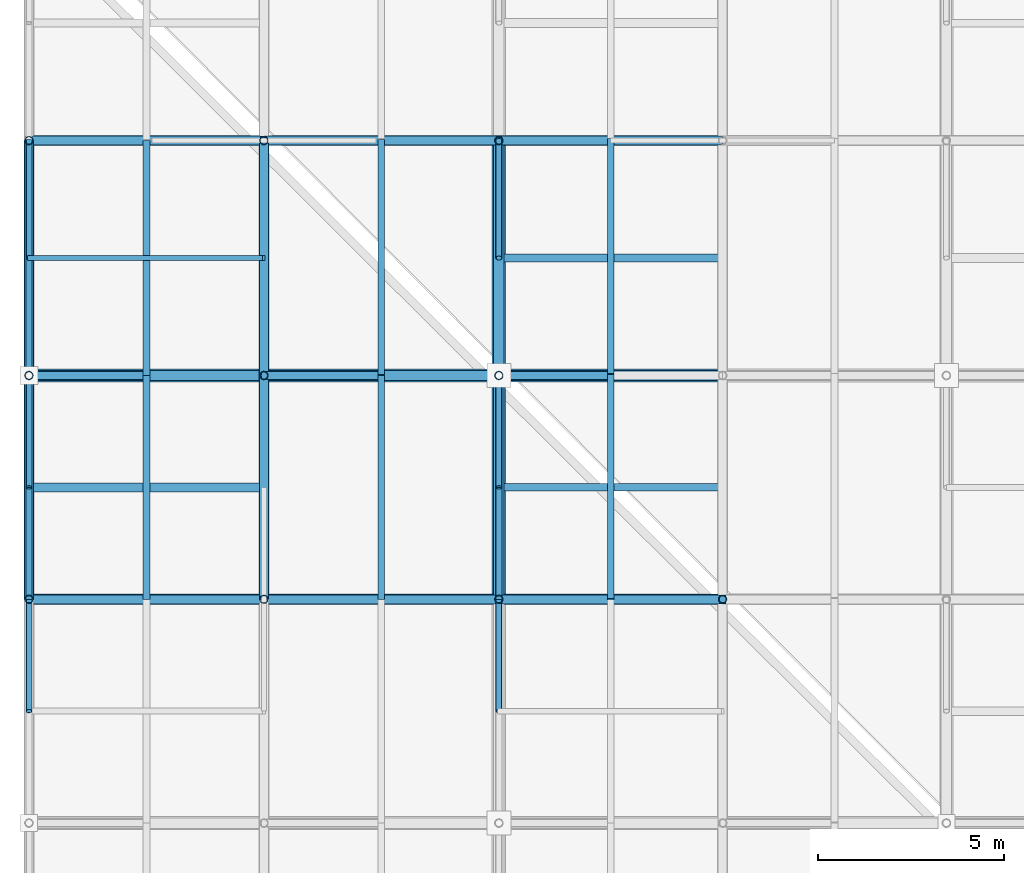
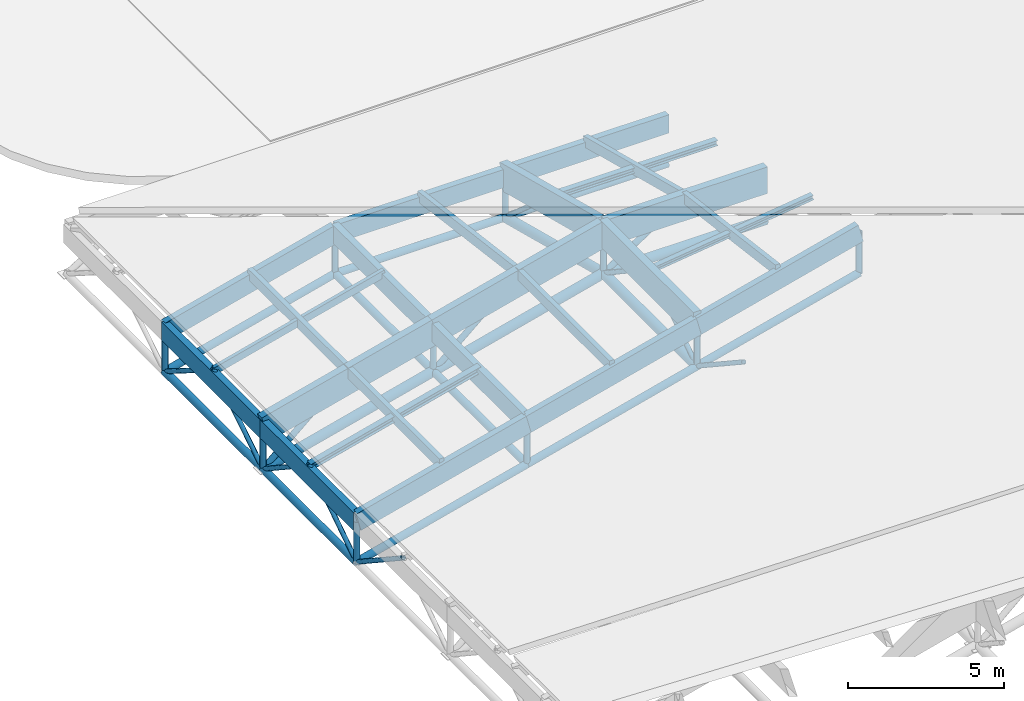
# One storey, part 48 of 80: 62 members.
"""IFC4 building model written with IfcOpenShell, lengths in metres."""

from ifc_helpers import new_model, si_unit, direction, frame, origin, origin_2d, place, context, subcontext, project, spatial, rectangle, hollow_circle, i_section, extrude, material, material_profile, profile_set, type_object, element, save


model = new_model("IFC4")

# Units and contexts
model_context = context("Model", 3, precision=1e-05, world=origin(), true_north=direction((0.0, 1.0)))
body_context = subcontext(model_context, "Body", "Model", "MODEL_VIEW")
ifc_project = project(units=[si_unit("LENGTHUNIT", "METRE"), si_unit("AREAUNIT", "SQUARE_METRE"), si_unit("VOLUMEUNIT", "CUBIC_METRE"), si_unit("PLANEANGLEUNIT", "RADIAN"), si_unit("MASSUNIT", "GRAM", prefix="KILO"), si_unit("THERMODYNAMICTEMPERATUREUNIT", "KELVIN"), si_unit("POWERUNIT", "WATT")], contexts=[model_context])

# Site, building, storey
site_placement = place(None, origin())
site = spatial("IfcSite", under=ifc_project, at=site_placement, CompositionType="ELEMENT")
building_placement = place(site_placement, origin())
building = spatial("IfcBuilding", under=site, at=building_placement, Name="Solmara Park Aquatics Centre", CompositionType="ELEMENT")
storey_placement = place(building_placement, frame((0.0, 0.0, 22.800048828125)))
storey = spatial("IfcBuildingStorey", under=building, at=storey_placement, Name="RF", CompositionType="ELEMENT", Elevation=22.800048828125)

# Members
ifc_material_1 = material(Name="Structural Steel S355", Category="steel")
ifc_material_profile_1 = material_profile(ifc_material_1, hollow_circle(Radius=0.084228515625, WallThickness=0.008056640625, at=origin_2d()), Name="CHS 168.3x8")
ifc_profile_set_1 = profile_set([ifc_material_profile_1], Name="Structural Steel S355")
member_type_1 = type_object("IfcMemberType", Name="STR-BRC-CHS168", PredefinedType="BRACE", material=ifc_profile_set_1)
for number, where, z_axis, x_axis, name in (
    (1, (0.0, 66.60009765625, -14.400146484375), (0.0, -0.834611904619, 0.550838423377), (1.0, 0.0, 0.0), "Roof Truss Web Diagonal Y 2095"),
    (2, (12.60009765625, 66.60009765625, -11.141357421875), (0.0, -0.834611904619, 0.550838423377), (1.0, 0.0, 0.0), "Roof Truss Web Diagonal Y 2097"),
    (3, (0.0, 66.60009765625, -14.400146484375), (0.0, 0.834611904619, 0.550838423377), (-1.0, 0.0, 0.0), "Roof Truss Web Diagonal Y 2117"),
    (4, (0.0, 72.60009765625, -14.400146484375), (0.0, -0.834611904619, 0.550838423377), (1.0, 0.0, 0.0), "Roof Truss Web Diagonal Y 2118"),
    (5, (12.60009765625, 66.60009765625, -11.141357421875), (0.0, 0.834611904619, 0.550838423377), (-1.0, 0.0, 0.0), "Roof Truss Web Diagonal Y 2119"),
    (6, (12.60009765625, 72.60009765625, -11.141357421875), (0.0, -0.834611904619, 0.550838423377), (1.0, 0.0, 0.0), "Roof Truss Web Diagonal Y 2120"),
):
    element("IfcMember", number, at=place(storey_placement, frame(where, z_axis=z_axis, x_axis=x_axis)), inside=storey, type_object=member_type_1, Name=name, PredefinedType="BRACE", context=body_context, shape_type="SweptSolid", body=[
        extrude(hollow_circle(Radius=0.084228515625, WallThickness=0.008056640625, at=origin_2d()), origin(), (0.0, 0.0, 1.0), 3.594482421875),
    ])
for number, where, z_axis, x_axis, name in (
    (7, (0.0, 72.60009765625, -14.400146484375), (0.0, 0.846631480792, 0.532179608527), (-1.0, 0.0, 0.0), "Roof Truss Web Diagonal Y 2140"),
    (8, (0.0, 78.89990234375, -14.400146484375), (0.0, -0.846631480792, 0.532179608527), (1.0, 0.0, 0.0), "Roof Truss Web Diagonal Y 2141"),
):
    element("IfcMember", number, at=place(storey_placement, frame(where, z_axis=z_axis, x_axis=x_axis)), inside=storey, type_object=member_type_1, Name=name, PredefinedType="BRACE", context=body_context, shape_type="SweptSolid", body=[
        extrude(hollow_circle(Radius=0.084228515625, WallThickness=0.008056640625, at=origin_2d()), origin(), (0.0, 0.0, 1.0), 3.720458984375),
    ])
member_1_placement = place(storey_placement, frame((12.60009765625, 78.89990234375, -12.770751953125), z_axis=(0.0, -0.748026356938, 0.663669020917), x_axis=(1.0, 0.0, 0.0)))
element("IfcMember", 9, at=member_1_placement, inside=storey, type_object=member_type_1, Name="Roof Truss Web Diagonal Y 2142", PredefinedType="BRACE", context=body_context, shape_type="SweptSolid", body=[
    extrude(hollow_circle(Radius=0.084228515625, WallThickness=0.008056640625, at=origin_2d()), origin(), (0.0, 0.0, 1.0), 4.2109375),
])
ifc_material_profile_2 = material_profile(ifc_material_1, hollow_circle(Radius=0.109619140625, WallThickness=0.010009765625, at=origin_2d()), Name="CHS 219.1x10")
ifc_profile_set_2 = profile_set([ifc_material_profile_2], Name="Structural Steel S355")
member_type_2 = type_object("IfcMemberType", Name="STR-BRC-CHS219", PredefinedType="BRACE", material=ifc_profile_set_2)
for number, where, z_axis, x_axis, name in (
    (10, (0.0, 72.60009765625, -14.400146484375), (0.752757378615, 0.0, 0.658298054791), (0.0, 1.0, 0.0), "Roof Truss Web Diagonal X 1368"),
    (11, (6.300048828125, 72.60009765625, -12.770751953125), (0.752757378615, 0.0, 0.658298054791), (0.0, 1.0, 0.0), "Roof Truss Web Diagonal X 1392"),
):
    element("IfcMember", number, at=place(storey_placement, frame(where, z_axis=z_axis, x_axis=x_axis)), inside=storey, type_object=member_type_2, Name=name, PredefinedType="BRACE", context=body_context, shape_type="SweptSolid", body=[
        extrude(hollow_circle(Radius=0.109619140625, WallThickness=0.010009765625, at=origin_2d()), origin(), (0.0, 0.0, 1.0), 4.1845703125),
    ])
member_2_placement = place(storey_placement, frame((12.60009765625, 72.60009765625, -11.141357421875), z_axis=(0.83972779743, 0.0, 0.543007574738), x_axis=(0.0, 1.0, 0.0)))
element("IfcMember", 12, at=member_2_placement, inside=storey, type_object=member_type_2, Name="Roof Truss Web Diagonal X 1417", PredefinedType="BRACE", context=body_context, shape_type="SweptSolid", body=[
    extrude(hollow_circle(Radius=0.109619140625, WallThickness=0.010009765625, at=origin_2d()), origin(), (0.0, 0.0, 1.0), 3.572509765625),
])
ifc_material_profile_3 = material_profile(ifc_material_1, hollow_circle(Radius=0.136474609375, WallThickness=0.012451171875, at=origin_2d()), Name="CHS 273x12.5")
ifc_profile_set_3 = profile_set([ifc_material_profile_3], Name="Structural Steel S355")
member_type_3 = type_object("IfcMemberType", Name="STR-CHD-CHS273", PredefinedType="CHORD", material=ifc_profile_set_3)
for number, where, z_axis, x_axis, name in (
    (13, (0.0, 66.60009765625, -14.400146484375), (0.968144245908, 0.0, 0.25039312913), (0.0, 1.0, 0.0), "Steel Roof Truss Bottom Chord X 0398"),
    (14, (6.300048828125, 66.60009765625, -12.770751953125), (0.968144245908, 0.0, 0.25039312913), (0.0, 1.0, 0.0), "Steel Roof Truss Bottom Chord X 0400"),
):
    element("IfcMember", number, at=place(storey_placement, frame(where, z_axis=z_axis, x_axis=x_axis)), inside=storey, type_object=member_type_3, Name=name, PredefinedType="CHORD", context=body_context, shape_type="SweptSolid", body=[
        extrude(hollow_circle(Radius=0.136474609375, WallThickness=0.012451171875, at=origin_2d()), origin(), (0.0, 0.0, 1.0), 6.50732421875),
    ])
member_3_placement = place(storey_placement, frame((12.60009765625, 66.60009765625, -11.141357421875), z_axis=(0.968155143395, 0.0, 0.250350990246), x_axis=(0.0, 1.0, 0.0)))
element("IfcMember", 15, at=member_3_placement, inside=storey, type_object=member_type_3, Name="Steel Roof Truss Bottom Chord X 0402", PredefinedType="CHORD", context=body_context, shape_type="SweptSolid", body=[
    extrude(hollow_circle(Radius=0.136474609375, WallThickness=0.012451171875, at=origin_2d()), origin(), (0.0, 0.0, 1.0), 6.197265625),
])
member_4_placement = place(storey_placement, frame((0.0, 78.89990234375, -14.400146484375), z_axis=(0.968144245908, 0.0, 0.25039312913), x_axis=(0.0, 1.0, 0.0)))
element("IfcMember", 16, at=member_4_placement, inside=storey, type_object=member_type_3, Name="Steel Roof Truss Bottom Chord X 0470", PredefinedType="CHORD", context=body_context, shape_type="SweptSolid", body=[
    extrude(hollow_circle(Radius=0.136474609375, WallThickness=0.012451171875, at=origin_2d()), origin(), (0.0, 0.0, 1.0), 6.50732421875),
])
member_5_placement = place(storey_placement, frame((6.300048828125, 78.89990234375, -12.770751953125), z_axis=(1.0, 0.0, 0.0), x_axis=(0.0, 1.0, 0.0)))
element("IfcMember", 17, at=member_5_placement, inside=storey, type_object=member_type_3, Name="Steel Roof Truss Bottom Chord X 0472", PredefinedType="CHORD", context=body_context, shape_type="SweptSolid", body=[
    extrude(hollow_circle(Radius=0.136474609375, WallThickness=0.012451171875, at=origin_2d()), origin(), (0.0, 0.0, 1.0), 6.300048828125),
])
for number, where, z_axis, x_axis, name in (
    (18, (12.60009765625, 78.89990234375, -12.770751953125), (1.0, 0.0, 0.0), (0.0, 1.0, 0.0), "Steel Roof Truss Bottom Chord X 0474"),
    (19, (0.0, 66.60009765625, -14.400146484375), (0.0, 1.0, 0.0), (-1.0, 0.0, 0.0), "Steel Roof Truss Bottom Chord Y 0564"),
):
    element("IfcMember", number, at=place(storey_placement, frame(where, z_axis=z_axis, x_axis=x_axis)), inside=storey, type_object=member_type_3, Name=name, PredefinedType="CHORD", context=body_context, shape_type="SweptSolid", body=[
        extrude(hollow_circle(Radius=0.136474609375, WallThickness=0.012451171875, at=origin_2d()), origin(), (0.0, 0.0, 1.0), 6.0),
    ])
member_6_placement = place(storey_placement, frame((0.0, 72.60009765625, -14.400146484375), z_axis=(0.0, 1.0, 0.0), x_axis=(-1.0, 0.0, 0.0)))
element("IfcMember", 20, at=member_6_placement, inside=storey, type_object=member_type_3, Name="Steel Roof Truss Bottom Chord Y 0566", PredefinedType="CHORD", context=body_context, shape_type="SweptSolid", body=[
    extrude(hollow_circle(Radius=0.136474609375, WallThickness=0.012451171875, at=origin_2d()), origin(), (0.0, 0.0, 1.0), 6.2998046875),
])
member_7_placement = place(storey_placement, frame((6.300048828125, 66.60009765625, -12.770751953125), z_axis=(0.0, 1.0, 0.0), x_axis=(-1.0, 0.0, 0.0)))
element("IfcMember", 21, at=member_7_placement, inside=storey, type_object=member_type_3, Name="Steel Roof Truss Bottom Chord Y 0592", PredefinedType="CHORD", context=body_context, shape_type="SweptSolid", body=[
    extrude(hollow_circle(Radius=0.136474609375, WallThickness=0.012451171875, at=origin_2d()), origin(), (0.0, 0.0, 1.0), 6.0),
])
member_8_placement = place(storey_placement, frame((6.300048828125, 72.60009765625, -12.770751953125), z_axis=(0.0, 1.0, 0.0), x_axis=(-1.0, 0.0, 0.0)))
element("IfcMember", 22, at=member_8_placement, inside=storey, type_object=member_type_3, Name="Steel Roof Truss Bottom Chord Y 0594", PredefinedType="CHORD", context=body_context, shape_type="SweptSolid", body=[
    extrude(hollow_circle(Radius=0.136474609375, WallThickness=0.012451171875, at=origin_2d()), origin(), (0.0, 0.0, 1.0), 6.2998046875),
])
ifc_material_profile_4 = material_profile(ifc_material_1, hollow_circle(Radius=0.177734375, WallThickness=0.01611328125, at=origin_2d()), Name="CHS 355.6x16")
ifc_profile_set_4 = profile_set([ifc_material_profile_4], Name="Structural Steel S355")
member_type_4 = type_object("IfcMemberType", Name="STR-CHD-CHS355", PredefinedType="CHORD", material=ifc_profile_set_4)
for number, where, z_axis, x_axis, name in (
    (23, (0.0, 72.60009765625, -14.400146484375), (0.968144245908, 0.0, 0.25039312913), (0.0, 1.0, 0.0), "Steel Roof Truss Bottom Chord X 0434"),
    (24, (6.300048828125, 72.60009765625, -12.770751953125), (0.968144245908, 0.0, 0.25039312913), (0.0, 1.0, 0.0), "Steel Roof Truss Bottom Chord X 0436"),
):
    element("IfcMember", number, at=place(storey_placement, frame(where, z_axis=z_axis, x_axis=x_axis)), inside=storey, type_object=member_type_4, Name=name, PredefinedType="CHORD", context=body_context, shape_type="SweptSolid", body=[
        extrude(hollow_circle(Radius=0.177734375, WallThickness=0.01611328125, at=origin_2d()), origin(), (0.0, 0.0, 1.0), 6.50732421875),
    ])
for number, where, z_axis, x_axis, name in (
    (25, (12.60009765625, 72.60009765625, -11.141357421875), (1.0, 0.0, 0.0), (0.0, 1.0, 0.0), "Steel Roof Truss Bottom Chord X 0438"),
    (26, (12.60009765625, 66.60009765625, -11.141357421875), (0.0, 1.0, 0.0), (-1.0, 0.0, 0.0), "Steel Roof Truss Bottom Chord Y 0620"),
):
    element("IfcMember", number, at=place(storey_placement, frame(where, z_axis=z_axis, x_axis=x_axis)), inside=storey, type_object=member_type_4, Name=name, PredefinedType="CHORD", context=body_context, shape_type="SweptSolid", body=[
        extrude(hollow_circle(Radius=0.177734375, WallThickness=0.01611328125, at=origin_2d()), origin(), (0.0, 0.0, 1.0), 6.0),
    ])
member_9_placement = place(storey_placement, frame((12.60009765625, 72.60009765625, -11.141357421875), z_axis=(0.0, 0.968141893543, -0.250402224365), x_axis=(-1.0, 0.0, 0.0)))
element("IfcMember", 27, at=member_9_placement, inside=storey, type_object=member_type_4, Name="Steel Roof Truss Bottom Chord Y 0622", PredefinedType="CHORD", context=body_context, shape_type="SweptSolid", body=[
    extrude(hollow_circle(Radius=0.177734375, WallThickness=0.01611328125, at=origin_2d()), origin(), (0.0, 0.0, 1.0), 6.507080078125),
])
ifc_material_2 = material(Name="Glulam Timber GL28h", Category="wood")
ifc_material_profile_5 = material_profile(ifc_material_2, rectangle(XDim=0.239990234375, YDim=0.719970703125, at=origin_2d()), Name="GL28h 240x720")
ifc_profile_set_5 = profile_set([ifc_material_profile_5], Name="Glulam Timber GL28h")
member_type_5 = type_object("IfcMemberType", Name="STR-CHD-GL240x720", PredefinedType="CHORD", material=ifc_profile_set_5)
for number, where, z_axis, x_axis, name in (
    (28, (0.0, 66.60009765625, -12.780029296875), (0.968144245908, 0.0, 0.25039312913), (0.0, 1.0, 0.0), "Glulam Roof Truss Top Chord X 0397"),
    (29, (6.300048828125, 66.60009765625, -11.150634765625), (0.96815334027, 0.0, 0.250357963171), (0.0, 1.0, 0.0), "Glulam Roof Truss Top Chord X 0399"),
):
    element("IfcMember", number, at=place(storey_placement, frame(where, z_axis=z_axis, x_axis=x_axis)), inside=storey, type_object=member_type_5, Name=name, PredefinedType="CHORD", context=body_context, shape_type="SweptSolid", body=[
        extrude(rectangle(XDim=0.239990234375, YDim=0.719970703125, at=origin_2d()), origin(), (0.0, 0.0, 1.0), 6.50732421875),
    ])
member_10_placement = place(storey_placement, frame((12.60009765625, 66.60009765625, -9.521484375), z_axis=(0.968145594442, 0.0, 0.250387914969), x_axis=(0.0, 1.0, 0.0)))
element("IfcMember", 30, at=member_10_placement, inside=storey, type_object=member_type_5, Name="Glulam Roof Truss Top Chord X 0401", PredefinedType="CHORD", context=body_context, shape_type="SweptSolid", body=[
    extrude(rectangle(XDim=0.239990234375, YDim=0.719970703125, at=origin_2d()), origin(), (0.0, 0.0, 1.0), 6.197509765625),
])
member_11_placement = place(storey_placement, frame((0.0, 78.89990234375, -12.780029296875), z_axis=(0.968144245908, 0.0, 0.25039312913), x_axis=(0.0, 1.0, 0.0)))
element("IfcMember", 31, at=member_11_placement, inside=storey, type_object=member_type_5, Name="Glulam Roof Truss Top Chord X 0469", PredefinedType="CHORD", context=body_context, shape_type="SweptSolid", body=[
    extrude(rectangle(XDim=0.239990234375, YDim=0.719970703125, at=origin_2d()), origin(), (0.0, 0.0, 1.0), 6.50732421875),
])
member_12_placement = place(storey_placement, frame((6.300048828125, 78.89990234375, -11.150634765625), z_axis=(1.0, 0.0, 0.0), x_axis=(0.0, 1.0, 0.0)))
element("IfcMember", 32, at=member_12_placement, inside=storey, type_object=member_type_5, Name="Glulam Roof Truss Top Chord X 0471", PredefinedType="CHORD", context=body_context, shape_type="SweptSolid", body=[
    extrude(rectangle(XDim=0.239990234375, YDim=0.719970703125, at=origin_2d()), origin(), (0.0, 0.0, 1.0), 6.300048828125),
])
for number, where, z_axis, x_axis, name in (
    (33, (12.60009765625, 78.89990234375, -11.150634765625), (1.0, 0.0, 0.0), (0.0, 1.0, 0.0), "Glulam Roof Truss Top Chord X 0473"),
    (34, (0.0, 66.60009765625, -12.780029296875), (0.0, 1.0, 0.0), (-1.0, 0.0, 0.0), "Glulam Roof Truss Top Chord Y 0563"),
):
    element("IfcMember", number, at=place(storey_placement, frame(where, z_axis=z_axis, x_axis=x_axis)), inside=storey, type_object=member_type_5, Name=name, PredefinedType="CHORD", context=body_context, shape_type="SweptSolid", body=[
        extrude(rectangle(XDim=0.239990234375, YDim=0.719970703125, at=origin_2d()), origin(), (0.0, 0.0, 1.0), 6.0),
    ])
member_13_placement = place(storey_placement, frame((0.0, 72.60009765625, -12.780029296875), z_axis=(0.0, 1.0, 0.0), x_axis=(-1.0, 0.0, 0.0)))
element("IfcMember", 35, at=member_13_placement, inside=storey, type_object=member_type_5, Name="Glulam Roof Truss Top Chord Y 0565", PredefinedType="CHORD", context=body_context, shape_type="SweptSolid", body=[
    extrude(rectangle(XDim=0.239990234375, YDim=0.719970703125, at=origin_2d()), origin(), (0.0, 0.0, 1.0), 6.2998046875),
])
member_14_placement = place(storey_placement, frame((6.300048828125, 66.60009765625, -11.150634765625), z_axis=(0.0, 1.0, 0.0), x_axis=(-1.0, 0.0, 0.0)))
element("IfcMember", 36, at=member_14_placement, inside=storey, type_object=member_type_5, Name="Glulam Roof Truss Top Chord Y 0591", PredefinedType="CHORD", context=body_context, shape_type="SweptSolid", body=[
    extrude(rectangle(XDim=0.239990234375, YDim=0.719970703125, at=origin_2d()), origin(), (0.0, 0.0, 1.0), 6.0),
])
member_15_placement = place(storey_placement, frame((6.300048828125, 72.60009765625, -11.150634765625), z_axis=(0.0, 1.0, 0.0), x_axis=(-1.0, 0.0, 0.0)))
element("IfcMember", 37, at=member_15_placement, inside=storey, type_object=member_type_5, Name="Glulam Roof Truss Top Chord Y 0593", PredefinedType="CHORD", context=body_context, shape_type="SweptSolid", body=[
    extrude(rectangle(XDim=0.239990234375, YDim=0.719970703125, at=origin_2d()), origin(), (0.0, 0.0, 1.0), 6.2998046875),
])
ifc_material_profile_6 = material_profile(ifc_material_2, rectangle(XDim=0.280029296875, YDim=1.0400390625, at=origin_2d()), Name="GL28h 280x1040")
ifc_profile_set_6 = profile_set([ifc_material_profile_6], Name="Glulam Timber GL28h")
member_type_6 = type_object("IfcMemberType", Name="STR-CHD-GL280x1040", PredefinedType="CHORD", material=ifc_profile_set_6)
for number, where, z_axis, x_axis, name in (
    (38, (0.0, 72.60009765625, -12.780029296875), (0.968144245908, 0.0, 0.25039312913), (0.0, 1.0, 0.0), "Glulam Roof Truss Top Chord X 0433"),
    (39, (6.300048828125, 72.60009765625, -11.150634765625), (0.96815334027, 0.0, 0.250357963171), (0.0, 1.0, 0.0), "Glulam Roof Truss Top Chord X 0435"),
):
    element("IfcMember", number, at=place(storey_placement, frame(where, z_axis=z_axis, x_axis=x_axis)), inside=storey, type_object=member_type_6, Name=name, PredefinedType="CHORD", context=body_context, shape_type="SweptSolid", body=[
        extrude(rectangle(XDim=0.280029296875, YDim=1.0400390625, at=origin_2d()), origin(), (0.0, 0.0, 1.0), 6.50732421875),
    ])
for number, where, z_axis, x_axis, name in (
    (40, (12.60009765625, 72.60009765625, -9.521484375), (1.0, 0.0, 0.0), (0.0, 1.0, 0.0), "Glulam Roof Truss Top Chord X 0437"),
    (41, (12.60009765625, 66.60009765625, -9.521484375), (0.0, 1.0, 0.0), (-1.0, 0.0, 0.0), "Glulam Roof Truss Top Chord Y 0619"),
):
    element("IfcMember", number, at=place(storey_placement, frame(where, z_axis=z_axis, x_axis=x_axis)), inside=storey, type_object=member_type_6, Name=name, PredefinedType="CHORD", context=body_context, shape_type="SweptSolid", body=[
        extrude(rectangle(XDim=0.280029296875, YDim=1.0400390625, at=origin_2d()), origin(), (0.0, 0.0, 1.0), 6.0),
    ])
member_16_placement = place(storey_placement, frame((12.60009765625, 72.60009765625, -9.521484375), z_axis=(0.0, 0.968150988544, -0.250367057299), x_axis=(-1.0, 0.0, 0.0)))
element("IfcMember", 42, at=member_16_placement, inside=storey, type_object=member_type_6, Name="Glulam Roof Truss Top Chord Y 0621", PredefinedType="CHORD", context=body_context, shape_type="SweptSolid", body=[
    extrude(rectangle(XDim=0.280029296875, YDim=1.0400390625, at=origin_2d()), origin(), (0.0, 0.0, 1.0), 6.507080078125),
])
ifc_material_profile_7 = material_profile(ifc_material_2, rectangle(XDim=0.139892578125, YDim=0.280029296875, at=origin_2d()), Name="GL28h 140x280")
ifc_profile_set_7 = profile_set([ifc_material_profile_7], Name="Glulam Timber GL28h")
member_type_7 = type_object("IfcMemberType", Name="STR-PRL-GL140x280", PredefinedType="PURLIN", material=ifc_profile_set_7)
member_17_placement = place(storey_placement, frame((0.0, 75.75, -12.43994140625), z_axis=(0.96815334027, 0.0, 0.250357963171), x_axis=(0.0, 1.0, 0.0)))
element("IfcMember", 43, at=member_17_placement, inside=storey, type_object=member_type_7, Name="Glulam Secondary Roof Purlin 2131", PredefinedType="PURLIN", context=body_context, shape_type="SweptSolid", body=[
    extrude(rectangle(XDim=0.139892578125, YDim=0.280029296875, at=origin_2d()), origin(), (0.0, 0.0, 1.0), 6.50732421875),
])
ifc_material_profile_8 = material_profile(ifc_material_2, rectangle(XDim=0.179931640625, YDim=0.39990234375, at=origin_2d()), Name="GL28h 180x400")
ifc_profile_set_8 = profile_set([ifc_material_profile_8], Name="Glulam Timber GL28h")
member_type_8 = type_object("IfcMemberType", Name="STR-PRL-GL180x400", PredefinedType="PURLIN", material=ifc_profile_set_8)
member_18_placement = place(storey_placement, frame((3.14990234375, 66.60009765625, -11.6455078125), z_axis=(0.0, 1.0, 0.0), x_axis=(-1.0, 0.0, 0.0)))
element("IfcMember", 44, at=member_18_placement, inside=storey, type_object=member_type_8, Name="Glulam Roof Purlin 1358", PredefinedType="PURLIN", context=body_context, shape_type="SweptSolid", body=[
    extrude(rectangle(XDim=0.179931640625, YDim=0.39990234375, at=origin_2d()), origin(), (0.0, 0.0, 1.0), 6.0),
])
member_19_placement = place(storey_placement, frame((3.14990234375, 72.60009765625, -11.6455078125), z_axis=(0.0, 1.0, 0.0), x_axis=(-1.0, 0.0, 0.0)))
element("IfcMember", 45, at=member_19_placement, inside=storey, type_object=member_type_8, Name="Glulam Roof Purlin 1359", PredefinedType="PURLIN", context=body_context, shape_type="SweptSolid", body=[
    extrude(rectangle(XDim=0.179931640625, YDim=0.39990234375, at=origin_2d()), origin(), (0.0, 0.0, 1.0), 6.2998046875),
])
member_20_placement = place(storey_placement, frame((9.449951171875, 66.60009765625, -10.01611328125), z_axis=(0.0, 1.0, 0.0), x_axis=(-1.0, 0.0, 0.0)))
element("IfcMember", 46, at=member_20_placement, inside=storey, type_object=member_type_8, Name="Glulam Roof Purlin 1382", PredefinedType="PURLIN", context=body_context, shape_type="SweptSolid", body=[
    extrude(rectangle(XDim=0.179931640625, YDim=0.39990234375, at=origin_2d()), origin(), (0.0, 0.0, 1.0), 6.0),
])
member_21_placement = place(storey_placement, frame((9.449951171875, 72.60009765625, -10.01611328125), z_axis=(0.0, 0.99174147793, -0.128253034873), x_axis=(-1.0, 0.0, 0.0)))
element("IfcMember", 47, at=member_21_placement, inside=storey, type_object=member_type_8, Name="Glulam Roof Purlin 1383", PredefinedType="PURLIN", context=body_context, shape_type="SweptSolid", body=[
    extrude(rectangle(XDim=0.179931640625, YDim=0.39990234375, at=origin_2d()), origin(), (0.0, 0.0, 1.0), 6.352294921875),
])
member_22_placement = place(storey_placement, frame((15.60009765625, 66.60009765625, -8.425537109375), z_axis=(0.0, 0.991742472473, -0.128245344137), x_axis=(-1.0, 0.0, 0.0)))
element("IfcMember", 48, at=member_22_placement, inside=storey, type_object=member_type_8, Name="Glulam Roof Purlin 1406", PredefinedType="PURLIN", context=body_context, shape_type="SweptSolid", body=[
    extrude(rectangle(XDim=0.179931640625, YDim=0.39990234375, at=origin_2d()), origin(), (0.0, 0.0, 1.0), 6.050048828125),
])
member_23_placement = place(storey_placement, frame((15.60009765625, 72.60009765625, -9.201416015625), z_axis=(0.0, 0.968141893543, -0.250402224365), x_axis=(-1.0, 0.0, 0.0)))
element("IfcMember", 49, at=member_23_placement, inside=storey, type_object=member_type_8, Name="Glulam Roof Purlin 1407", PredefinedType="PURLIN", context=body_context, shape_type="SweptSolid", body=[
    extrude(rectangle(XDim=0.179931640625, YDim=0.39990234375, at=origin_2d()), origin(), (0.0, 0.0, 1.0), 6.507080078125),
])
ifc_material_profile_9 = material_profile(ifc_material_1, i_section(OverallWidth=0.199951171875, OverallDepth=0.18994140625, WebThickness=0.006591796875, FlangeThickness=0.010009765625, FilletRadius=0.01806640625, at=origin_2d()), Name="HEA 200")
ifc_profile_set_9 = profile_set([ifc_material_profile_9], Name="Structural Steel S355")
member_type_9 = type_object("IfcMemberType", Name="STR-PRL-HEA200", PredefinedType="PURLIN", material=ifc_profile_set_9)
member_24_placement = place(storey_placement, frame((12.60009765625, 69.60009765625, -9.181396484375), z_axis=(0.991747604197, 0.0, 0.128205653423), x_axis=(0.0, 1.0, 0.0)))
element("IfcMember", 50, at=member_24_placement, inside=storey, type_object=member_type_9, Name="Glulam Secondary Roof Purlin 2109", PredefinedType="PURLIN", context=body_context, shape_type="SweptSolid", body=[
    extrude(i_section(OverallWidth=0.199951171875, OverallDepth=0.18994140625, WebThickness=0.006591796875, FlangeThickness=0.010009765625, FilletRadius=0.01806640625, at=origin_2d()), origin(), (0.0, 0.0, 1.0), 6.0498046875),
])
ifc_material_profile_10 = material_profile(ifc_material_1, i_section(OverallWidth=0.219970703125, OverallDepth=0.2099609375, WebThickness=0.007080078125, FlangeThickness=0.010986328125, FilletRadius=0.01806640625, at=origin_2d()), Name="HEA 220")
ifc_profile_set_10 = profile_set([ifc_material_profile_10], Name="Structural Steel S355")
member_type_10 = type_object("IfcMemberType", Name="STR-PRL-HEA220", PredefinedType="PURLIN", material=ifc_profile_set_10)
member_25_placement = place(storey_placement, frame((12.60009765625, 75.75, -9.99609375), z_axis=(1.0, 0.0, 0.0), x_axis=(0.0, 1.0, 0.0)))
element("IfcMember", 51, at=member_25_placement, inside=storey, type_object=member_type_10, Name="Glulam Secondary Roof Purlin 2132", PredefinedType="PURLIN", context=body_context, shape_type="SweptSolid", body=[
    extrude(i_section(OverallWidth=0.219970703125, OverallDepth=0.2099609375, WebThickness=0.007080078125, FlangeThickness=0.010986328125, FilletRadius=0.01806640625, at=origin_2d()), origin(), (0.0, 0.0, 1.0), 6.0),
])
ifc_material_profile_11 = material_profile(ifc_material_1, i_section(OverallWidth=0.239990234375, OverallDepth=0.22998046875, WebThickness=0.007568359375, FlangeThickness=0.011962890625, FilletRadius=0.02099609375, at=origin_2d()), Name="HEA 240")
ifc_profile_set_11 = profile_set([ifc_material_profile_11], Name="Structural Steel S355")
member_type_11 = type_object("IfcMemberType", Name="STR-PRL-HEA240", PredefinedType="PURLIN", material=ifc_profile_set_11)
member_26_placement = place(storey_placement, frame((0.0, 69.60009765625, -12.43994140625), z_axis=(0.96815334027, 0.0, 0.250357963171), x_axis=(0.0, 1.0, 0.0)))
element("IfcMember", 52, at=member_26_placement, inside=storey, type_object=member_type_11, Name="Glulam Secondary Roof Purlin 2108", PredefinedType="PURLIN", context=body_context, shape_type="SweptSolid", body=[
    extrude(i_section(OverallWidth=0.239990234375, OverallDepth=0.22998046875, WebThickness=0.007568359375, FlangeThickness=0.011962890625, FilletRadius=0.02099609375, at=origin_2d()), origin(), (0.0, 0.0, 1.0), 6.50732421875),
])
ifc_material_profile_12 = material_profile(ifc_material_1, hollow_circle(Radius=0.109619140625, WallThickness=0.010009765625, at=origin_2d()), Name="CHS 219.1x10")
ifc_profile_set_12 = profile_set([ifc_material_profile_12], Name="Structural Steel S355")
member_type_12 = type_object("IfcMemberType", Name="STR-PST-CHS219", PredefinedType="POST", material=ifc_profile_set_12)
for number, where, z_axis, x_axis, name in (
    (53, (0.0, 66.60009765625, -14.400146484375), (0.0, 0.0, 1.0), (1.0, 0.0, 0.0), "Roof Truss Web Post 1084"),
    (54, (0.0, 72.60009765625, -14.400146484375), (0.0, 0.0, 1.0), (1.0, 0.0, 0.0), "Roof Truss Web Post 1085"),
    (55, (0.0, 78.89990234375, -14.400146484375), (0.0, 0.0, 1.0), (1.0, 0.0, 0.0), "Roof Truss Web Post 1086"),
    (56, (6.300048828125, 66.60009765625, -12.770751953125), (0.0, 0.0, 1.0), (1.0, 0.0, 0.0), "Roof Truss Web Post 1098"),
    (57, (6.300048828125, 72.60009765625, -12.770751953125), (0.0, 0.0, 1.0), (1.0, 0.0, 0.0), "Roof Truss Web Post 1099"),
    (58, (6.300048828125, 78.89990234375, -12.770751953125), (0.0, 0.0, 1.0), (1.0, 0.0, 0.0), "Roof Truss Web Post 1100"),
):
    element("IfcMember", number, at=place(storey_placement, frame(where, z_axis=z_axis, x_axis=x_axis)), inside=storey, type_object=member_type_12, Name=name, PredefinedType="POST", context=body_context, shape_type="SweptSolid", body=[
        extrude(hollow_circle(Radius=0.109619140625, WallThickness=0.010009765625, at=origin_2d()), origin(), (0.0, 0.0, 1.0), 1.6201171875),
    ])
for number, where, z_axis, x_axis, name in (
    (59, (12.60009765625, 66.60009765625, -11.141357421875), (0.0, 0.0, 1.0), (1.0, 0.0, 0.0), "Roof Truss Web Post 1111"),
    (60, (12.60009765625, 72.60009765625, -11.141357421875), (0.0, 0.0, 1.0), (1.0, 0.0, 0.0), "Roof Truss Web Post 1112"),
):
    element("IfcMember", number, at=place(storey_placement, frame(where, z_axis=z_axis, x_axis=x_axis)), inside=storey, type_object=member_type_12, Name=name, PredefinedType="POST", context=body_context, shape_type="SweptSolid", body=[
        extrude(hollow_circle(Radius=0.109619140625, WallThickness=0.010009765625, at=origin_2d()), origin(), (0.0, 0.0, 1.0), 1.619873046875),
    ])
for number, where, z_axis, x_axis, name in (
    (61, (12.60009765625, 78.89990234375, -12.770751953125), (0.0, 0.0, 1.0), (1.0, 0.0, 0.0), "Roof Truss Web Post 1113"),
    (62, (18.60009765625, 66.60009765625, -9.58984375), (0.0, 0.0, 1.0), (1.0, 0.0, 0.0), "Roof Truss Web Post 1125"),
):
    element("IfcMember", number, at=place(storey_placement, frame(where, z_axis=z_axis, x_axis=x_axis)), inside=storey, type_object=member_type_12, Name=name, PredefinedType="POST", context=body_context, shape_type="SweptSolid", body=[
        extrude(hollow_circle(Radius=0.109619140625, WallThickness=0.010009765625, at=origin_2d()), origin(), (0.0, 0.0, 1.0), 1.6201171875),
    ])

save(model, "model.ifc")
